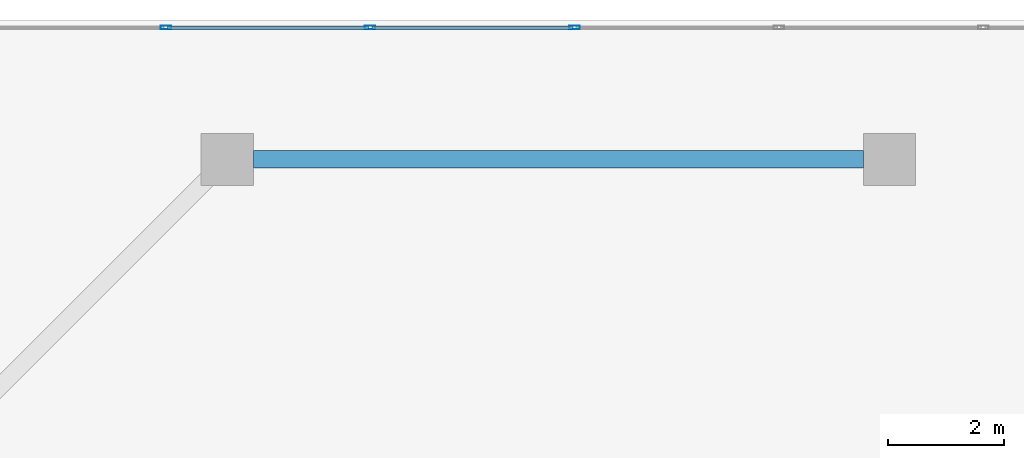
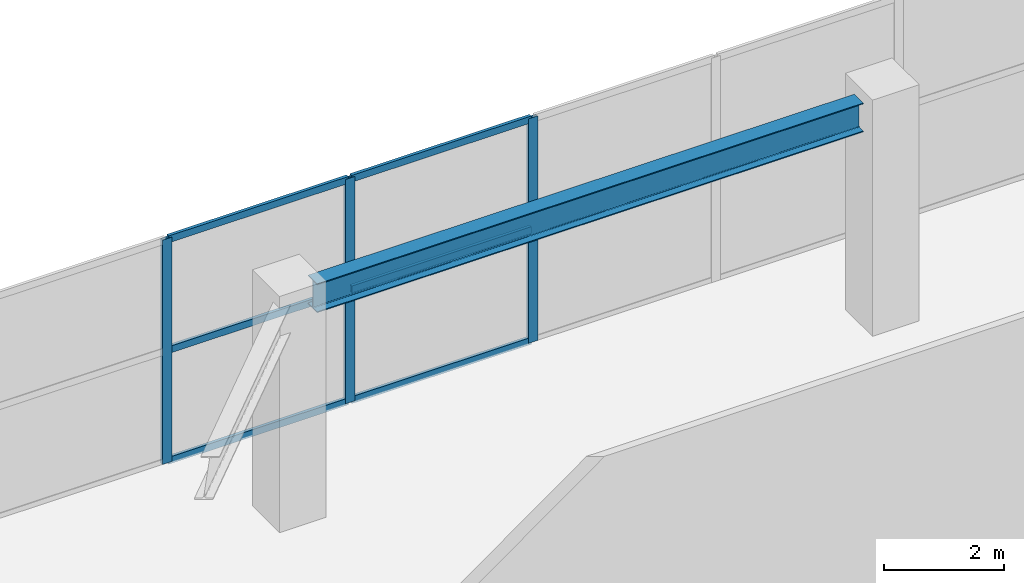
# One storey, part 17 of 31: 9 members, 1 beam, 1 element without a shape of its own.
"""IFC4 building model written with IfcOpenShell, lengths in metres."""

from ifc_helpers import new_model, si_unit, direction, frame, origin, origin_2d, place, context, subcontext, project, spatial, hollow_rectangle, i_section, extrude, material, layer, layer_set, material_profile, profile_set, type_object, element, aggregate, save


model = new_model("IFC4")

# Units and contexts
model_context = context("Model", 3, precision=1e-05, world=origin(), true_north=direction((0.0, 1.0)))
body_context = subcontext(model_context, "Body", "Model", "MODEL_VIEW")
ifc_project = project(units=[si_unit("LENGTHUNIT", "METRE"), si_unit("AREAUNIT", "SQUARE_METRE"), si_unit("VOLUMEUNIT", "CUBIC_METRE"), si_unit("PLANEANGLEUNIT", "RADIAN"), si_unit("MASSUNIT", "GRAM", prefix="KILO")], contexts=[model_context])

# Site, building, storey
site_placement = place(None, origin())
site = spatial("IfcSite", under=ifc_project, at=site_placement, CompositionType="ELEMENT")
building_placement = place(site_placement, origin())
building = spatial("IfcBuilding", under=site, at=building_placement, Name="Haolan Belvedere Tower", CompositionType="ELEMENT")
storey_placement = place(building_placement, frame((0.0, 0.0, 5.39990234375)))
storey = spatial("IfcBuildingStorey", under=building, at=storey_placement, Name="L01", CompositionType="ELEMENT", Elevation=5.39990234375)

# Beam
ifc_material_1 = material(Name="Steel Q355B", Category="steel")
ifc_material_profile_1 = material_profile(ifc_material_1, i_section(OverallWidth=0.300048828125, OverallDepth=0.587890625, WebThickness=0.011962890625, FlangeThickness=0.02001953125, FilletRadius=0.028076171875, at=origin_2d()), Name="Steel Q355B")
ifc_profile_set_1 = profile_set([ifc_material_profile_1], Name="Steel Q355B")
beam_type = type_object("IfcBeamType", Name="BM-HM588x300x12x20", PredefinedType="SPANDREL", material=ifc_profile_set_1)
beam_placement = place(storey_placement, frame((59.25, 51.60009765625, 4.26611328125), z_axis=(1.0, 0.0, 0.0), x_axis=(0.0, 1.0, 0.0)))
element("IfcBeam", 1, at=beam_placement, inside=storey, type_object=beam_type, Name="L01 spandrel girder PC-NE-1-PC-NE-2", PredefinedType="SPANDREL", context=body_context, shape_type="SweptSolid", body=[
    extrude(i_section(OverallWidth=0.300048828125, OverallDepth=0.587890625, WebThickness=0.011962890625, FlangeThickness=0.02001953125, FilletRadius=0.028076171875, at=origin_2d()), origin(), (0.0, 0.0, 1.0), 10.5),
])

# Curtain wall, members
ifc_material_2 = material(Name="Anodised champagne-silver aluminium 6063-T6 and Low-E glass", Category="aluminium")
ifc_layer = layer(ifc_material_2, 0.179931640625, Name="Anodised champagne-silver aluminium 6063-T6 and Low-E glass")
ifc_layer_set = layer_set([ifc_layer], Name="Anodised champagne-silver aluminium 6063-T6 and Low-E glass")
curtain_wall_type = type_object("IfcCurtainWallType", Name="CW-SYS-01", PredefinedType="NOTDEFINED", material=ifc_layer_set)
curtain_wall_placement = place(storey_placement, origin())
curtain_wall = element("IfcCurtainWall", 2, at=curtain_wall_placement, inside=storey, type_object=curtain_wall_type, Name="L01 CW-SYS-01 ribbon curtain wall 3.1", PredefinedType="NOTDEFINED")
ifc_material_3 = material(Name="Anodised aluminium 6063-T6", Category="aluminium")
ifc_material_profile_2 = material_profile(ifc_material_3, hollow_rectangle(XDim=0.06494140625, YDim=0.179931640625, WallThickness=0.00390625, at=origin_2d()), Name="Anodised aluminium 6063-T6")
ifc_profile_set_2 = profile_set([ifc_material_profile_2], Name="Anodised aluminium 6063-T6")
member_type_1 = type_object("IfcMemberType", Name="CW-SYS-01-MUL", PredefinedType="MULLION", material=ifc_profile_set_2)
member_1_placement = place(storey_placement, frame((64.778564453125, 53.8701171875, 0.0), z_axis=(0.0, 0.0, 1.0), x_axis=(0.0, -1.0, 0.0)))
member_1 = element("IfcMember", 3, at=member_1_placement, type_object=member_type_1, Name="CW-01 mullion 4", PredefinedType="MULLION", context=body_context, shape_type="SweptSolid", body=[
    extrude(hollow_rectangle(XDim=0.06494140625, YDim=0.179931640625, WallThickness=0.00390625, at=origin_2d()), origin(), (0.0, 0.0, 1.0), 4.56005859375),
])
member_2_placement = place(storey_placement, frame((61.261474609375, 53.8701171875, 0.0), z_axis=(0.0, 0.0, 1.0), x_axis=(0.0, -1.0, 0.0)))
member_2 = element("IfcMember", 4, at=member_2_placement, type_object=member_type_1, Name="CW-01 mullion 5", PredefinedType="MULLION", context=body_context, shape_type="SweptSolid", body=[
    extrude(hollow_rectangle(XDim=0.06494140625, YDim=0.179931640625, WallThickness=0.00390625, at=origin_2d()), origin(), (0.0, 0.0, 1.0), 4.56005859375),
])
member_3_placement = place(storey_placement, frame((57.744384765625, 53.8701171875, 0.0), z_axis=(0.0, 0.0, 1.0), x_axis=(0.0, -1.0, 0.0)))
member_3 = element("IfcMember", 5, at=member_3_placement, type_object=member_type_1, Name="CW-01 mullion 6", PredefinedType="MULLION", context=body_context, shape_type="SweptSolid", body=[
    extrude(hollow_rectangle(XDim=0.06494140625, YDim=0.179931640625, WallThickness=0.00390625, at=origin_2d()), origin(), (0.0, 0.0, 1.0), 4.56005859375),
])
ifc_material_profile_3 = material_profile(ifc_material_3, hollow_rectangle(XDim=0.06005859375, YDim=0.139892578125, WallThickness=0.00390625, at=origin_2d()), Name="Anodised aluminium 6063-T6")
ifc_profile_set_3 = profile_set([ifc_material_profile_3], Name="Anodised aluminium 6063-T6")
member_type_2 = type_object("IfcMemberType", Name="CW-SYS-01-TRN", PredefinedType="USERDEFINED", material=ifc_profile_set_3)
member_4_placement = place(storey_placement, frame((64.74609375, 53.8701171875, 0.030029296875), z_axis=(-1.0, 0.0, 0.0), x_axis=(0.0, -1.0, 0.0)))
member_4 = element("IfcMember", 6, at=member_4_placement, type_object=member_type_2, Name="CW-01 transom 4.1", ObjectType="TRANSOM", PredefinedType="USERDEFINED", context=body_context, shape_type="SweptSolid", body=[
    extrude(hollow_rectangle(XDim=0.06005859375, YDim=0.139892578125, WallThickness=0.00390625, at=origin_2d()), origin(), (0.0, 0.0, 1.0), 3.4521484375),
])
member_5_placement = place(storey_placement, frame((64.74609375, 53.8701171875, 2.280029296875), z_axis=(-1.0, 0.0, 0.0), x_axis=(0.0, -1.0, 0.0)))
member_5 = element("IfcMember", 7, at=member_5_placement, type_object=member_type_2, Name="CW-01 transom 4.2", ObjectType="TRANSOM", PredefinedType="USERDEFINED", context=body_context, shape_type="SweptSolid", body=[
    extrude(hollow_rectangle(XDim=0.06005859375, YDim=0.139892578125, WallThickness=0.00390625, at=origin_2d()), origin(), (0.0, 0.0, 1.0), 3.4521484375),
])
member_6_placement = place(storey_placement, frame((64.74609375, 53.8701171875, 4.530029296875), z_axis=(-1.0, 0.0, 0.0), x_axis=(0.0, -1.0, 0.0)))
member_6 = element("IfcMember", 8, at=member_6_placement, type_object=member_type_2, Name="CW-01 transom 4.3", ObjectType="TRANSOM", PredefinedType="USERDEFINED", context=body_context, shape_type="SweptSolid", body=[
    extrude(hollow_rectangle(XDim=0.06005859375, YDim=0.139892578125, WallThickness=0.00390625, at=origin_2d()), origin(), (0.0, 0.0, 1.0), 3.4521484375),
])
member_7_placement = place(storey_placement, frame((61.22900390625, 53.8701171875, 0.030029296875), z_axis=(-1.0, 0.0, 0.0), x_axis=(0.0, -1.0, 0.0)))
member_7 = element("IfcMember", 9, at=member_7_placement, type_object=member_type_2, Name="CW-01 transom 5.1", ObjectType="TRANSOM", PredefinedType="USERDEFINED", context=body_context, shape_type="SweptSolid", body=[
    extrude(hollow_rectangle(XDim=0.06005859375, YDim=0.139892578125, WallThickness=0.00390625, at=origin_2d()), origin(), (0.0, 0.0, 1.0), 3.4521484375),
])
member_8_placement = place(storey_placement, frame((61.22900390625, 53.8701171875, 2.280029296875), z_axis=(-1.0, 0.0, 0.0), x_axis=(0.0, -1.0, 0.0)))
member_8 = element("IfcMember", 10, at=member_8_placement, type_object=member_type_2, Name="CW-01 transom 5.2", ObjectType="TRANSOM", PredefinedType="USERDEFINED", context=body_context, shape_type="SweptSolid", body=[
    extrude(hollow_rectangle(XDim=0.06005859375, YDim=0.139892578125, WallThickness=0.00390625, at=origin_2d()), origin(), (0.0, 0.0, 1.0), 3.4521484375),
])
member_9_placement = place(storey_placement, frame((61.22900390625, 53.8701171875, 4.530029296875), z_axis=(-1.0, 0.0, 0.0), x_axis=(0.0, -1.0, 0.0)))
member_9 = element("IfcMember", 11, at=member_9_placement, type_object=member_type_2, Name="CW-01 transom 5.3", ObjectType="TRANSOM", PredefinedType="USERDEFINED", context=body_context, shape_type="SweptSolid", body=[
    extrude(hollow_rectangle(XDim=0.06005859375, YDim=0.139892578125, WallThickness=0.00390625, at=origin_2d()), origin(), (0.0, 0.0, 1.0), 3.4521484375),
])
aggregate(curtain_wall, [member_1, member_2, member_3, member_4, member_5, member_6, member_7, member_8, member_9])

save(model, "model.ifc")
